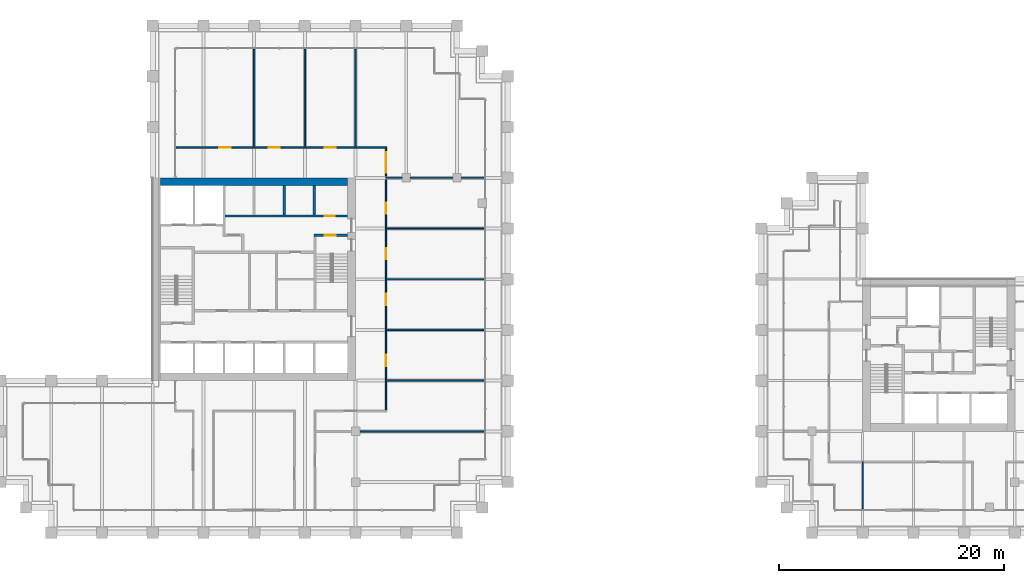
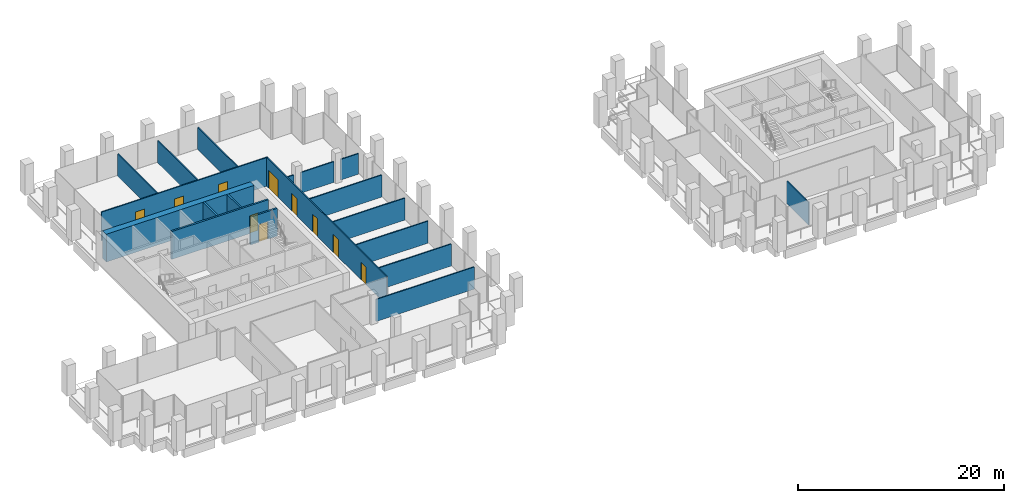
# One storey, part 42 of 46: 19 walls, 10 doors, 10 openings.
"""IFC4 building model written with IfcOpenShell, lengths in metres."""

from ifc_helpers import new_model, si_unit, direction, frame, frame_2d, origin, place, context, subcontext, project, spatial, rectangle, extrude, material, layer, layer_set, type_object, element, fill, save


model = new_model("IFC4")

# Units and contexts
model_context = context("Model", 3, precision=1e-05, world=origin(), true_north=direction((0.0, 1.0)))
body_context = subcontext(model_context, "Body", "Model", "MODEL_VIEW")
ifc_project = project(units=[si_unit("LENGTHUNIT", "METRE"), si_unit("AREAUNIT", "SQUARE_METRE"), si_unit("VOLUMEUNIT", "CUBIC_METRE"), si_unit("PLANEANGLEUNIT", "RADIAN"), si_unit("MASSUNIT", "GRAM", prefix="KILO")], contexts=[model_context])

# Site, building, storey
site_placement = place(None, origin())
site = spatial("IfcSite", under=ifc_project, at=site_placement, CompositionType="ELEMENT")
building_placement = place(site_placement, origin())
building = spatial("IfcBuilding", under=site, at=building_placement, Name="Altepetl Exchange Towers", CompositionType="ELEMENT")
storey_placement = place(building_placement, frame((0.0, 0.0, 135.199951171875)))
storey = spatial("IfcBuildingStorey", under=building, at=storey_placement, Name="L33", CompositionType="ELEMENT", Elevation=135.199951171875)

# Walls
ifc_material_1 = material(Name="Concrete C70/85", Category="concrete")
ifc_layer_1 = layer(ifc_material_1, 0.699951171875)
ifc_layer_set_1 = layer_set([ifc_layer_1], Name="Concrete C70/85")
wall_type_1 = type_object("IfcWallType", Name="Core wall 700 reinforced concrete", PredefinedType="SHEAR", material=ifc_layer_set_1)
wall_1_placement = place(storey_placement, frame((41.199951171875, 58.14990234375, 0.0)))
element("IfcWall", 1, at=wall_1_placement, inside=storey, type_object=wall_type_1, Name="wall:A:L33:K-coreN", PredefinedType="SHEAR", context=body_context, shape_type="SweptSolid", body=[
    extrude(rectangle(XDim=16.60009765625, YDim=0.699951171875, at=frame_2d((8.300048828125, 0.0))), origin(), (0.0, 0.0, 1.0), 3.300048828125),
])
ifc_material_2 = material(Name="Gypsum board on steel studs", Category="steel")
ifc_layer_2 = layer(ifc_material_2, 0.125)
ifc_layer_set_2 = layer_set([ifc_layer_2], Name="Gypsum board on steel studs")
wall_type_2 = type_object("IfcWallType", Name="Partition 125 gypsum board on steel studs", PredefinedType="PARTITIONING", material=ifc_layer_set_2)
wall_2_placement = place(storey_placement, frame((58.875, 36.0, 0.0)))
element("IfcWall", 2, at=wall_2_placement, inside=storey, type_object=wall_type_2, Name="wall:A:L33:P02", PredefinedType="PARTITIONING", context=body_context, shape_type="SweptSolid", body=[
    extrude(rectangle(XDim=11.02490234375, YDim=0.125, at=frame_2d((5.512451171875, 0.0))), origin(), (0.0, 0.0, 1.0), 2.6259765625),
])
for number, where, name in (
    (3, (61.199951171875, 40.5, 0.0), "wall:A:L33:P06"),
    (4, (61.199951171875, 45.0, 0.0), "wall:A:L33:P07"),
    (5, (61.199951171875, 49.5, 0.0), "wall:A:L33:P08"),
    (6, (61.199951171875, 54.0, 0.0), "wall:A:L33:P09"),
):
    element("IfcWall", number, at=place(storey_placement, frame(where)), inside=storey, type_object=wall_type_2, Name=name, PredefinedType="PARTITIONING", context=body_context, shape_type="SweptSolid", body=[
        extrude(rectangle(XDim=8.699951171875, YDim=0.125, at=frame_2d((4.35009765625, 0.0))), origin(), (0.0, 0.0, 1.0), 2.6259765625),
    ])
wall_3_placement = place(storey_placement, frame((61.199951171875, 58.5, 0.0)))
element("IfcWall", 7, at=wall_3_placement, inside=storey, type_object=wall_type_2, Name="wall:A:L33:P10", PredefinedType="PARTITIONING", context=body_context, shape_type="SweptSolid", body=[
    extrude(rectangle(XDim=1.425048828125, YDim=0.125, at=frame_2d((0.71240234375, 0.0))), origin(), (0.0, 0.0, 1.0), 2.45703125),
])
wall_4_placement = place(storey_placement, frame((63.375, 58.5, 0.0)))
element("IfcWall", 8, at=wall_4_placement, inside=storey, type_object=wall_type_2, Name="wall:A:L33:P11", PredefinedType="PARTITIONING", context=body_context, shape_type="SweptSolid", body=[
    extrude(rectangle(XDim=3.75, YDim=0.125, at=frame_2d((1.875, 0.0))), origin(), (0.0, 0.0, 1.0), 2.45703125),
])
wall_5_placement = place(storey_placement, frame((67.875, 58.5, 0.0)))
element("IfcWall", 9, at=wall_5_placement, inside=storey, type_object=wall_type_2, Name="wall:A:L33:P12", PredefinedType="PARTITIONING", context=body_context, shape_type="SweptSolid", body=[
    extrude(rectangle(XDim=2.02490234375, YDim=0.125, at=frame_2d((1.012451171875, 0.0))), origin(), (0.0, 0.0, 1.0), 2.45703125),
])

# Wall, openings, doors
wall_6_placement = place(storey_placement, frame((42.60009765625, 61.199951171875, 0.0)))
wall_6 = element("IfcWall", 10, at=wall_6_placement, inside=storey, type_object=wall_type_2, Name="wall:A:L33:P13", PredefinedType="PARTITIONING", context=body_context, shape_type="SweptSolid", body=[
    extrude(rectangle(XDim=18.662353515625, YDim=0.125, at=frame_2d((9.3310546875, 0.0))), origin(), (0.0, 0.0, 1.0), 3.400146484375),
])
opening_1_placement = place(wall_6_placement, frame((13.14990234375, 0.0, 0.0)))
opening_1 = element("IfcOpeningElement", 11, at=opening_1_placement, cuts=wall_6, Name="Opening L33.A10", PredefinedType="OPENING", context=body_context, shape_type="SweptSolid", body=[
    extrude(rectangle(XDim=1.0, YDim=2.10009765625, at=frame_2d((0.5, 1.050048828125))), frame((0.0, 0.072509765625, 0.0), z_axis=(0.0, -1.0, 0.0), x_axis=(1.0, 0.0, 0.0)), (0.0, 0.0, 1.0), 0.14501953125),
])
opening_2_placement = place(wall_6_placement, frame((8.195068359375, 0.0, 0.0)))
opening_2 = element("IfcOpeningElement", 12, at=opening_2_placement, cuts=wall_6, Name="Opening L33.A11", PredefinedType="OPENING", context=body_context, shape_type="SweptSolid", body=[
    extrude(rectangle(XDim=1.0, YDim=2.10009765625, at=frame_2d((0.5, 1.050048828125))), frame((0.0, 0.072509765625, 0.0), z_axis=(0.0, -1.0, 0.0), x_axis=(1.0, 0.0, 0.0)), (0.0, 0.0, 1.0), 0.14501953125),
])
opening_3_placement = place(wall_6_placement, frame((3.824951171875, 0.0, 0.0)))
opening_3 = element("IfcOpeningElement", 13, at=opening_3_placement, cuts=wall_6, Name="Opening L33.A12", PredefinedType="OPENING", context=body_context, shape_type="SweptSolid", body=[
    extrude(rectangle(XDim=1.0, YDim=2.10009765625, at=frame_2d((0.5, 1.050048828125))), frame((0.0, 0.072509765625, 0.0), z_axis=(0.0, -1.0, 0.0), x_axis=(1.0, 0.0, 0.0)), (0.0, 0.0, 1.0), 0.14501953125),
])
ifc_material_3 = material(Name="Steel and timber fire door", Category="steel")
door_type_1 = type_object("IfcDoorType", Name="Fire door 1000 x 2100 single leaf", OperationType="SINGLE_SWING_LEFT", PredefinedType="DOOR", material=ifc_material_3)
door_1_placement = place(opening_1_placement, origin())
door_1 = element("IfcDoor", 14, at=door_1_placement, inside=storey, type_object=door_type_1, Name="door:A:L33:10", OperationType="SINGLE_SWING_LEFT", OverallHeight=2.10009765625, OverallWidth=1.0, PredefinedType="DOOR", context=body_context, shape_type="SweptSolid", body=[
    extrude(rectangle(XDim=1.0, YDim=2.10009765625, at=frame_2d((0.5, 1.050048828125))), frame((0.0, 0.02490234375, 0.0), z_axis=(0.0, -1.0, 0.0), x_axis=(1.0, 0.0, 0.0)), (0.0, 0.0, 1.0), 0.050048828125),
])
fill(opening_1, door_1)
door_2_placement = place(opening_2_placement, origin())
door_2 = element("IfcDoor", 15, at=door_2_placement, inside=storey, type_object=door_type_1, Name="door:A:L33:11", OperationType="SINGLE_SWING_RIGHT", OverallHeight=2.10009765625, OverallWidth=1.0, PredefinedType="DOOR", context=body_context, shape_type="SweptSolid", body=[
    extrude(rectangle(XDim=1.0, YDim=2.10009765625, at=frame_2d((0.5, 1.050048828125))), frame((0.0, 0.02490234375, 0.0), z_axis=(0.0, -1.0, 0.0), x_axis=(1.0, 0.0, 0.0)), (0.0, 0.0, 1.0), 0.050048828125),
])
fill(opening_2, door_2)
door_3_placement = place(opening_3_placement, origin())
door_3 = element("IfcDoor", 16, at=door_3_placement, inside=storey, type_object=door_type_1, Name="door:A:L33:12", OperationType="SINGLE_SWING_LEFT", OverallHeight=2.10009765625, OverallWidth=1.0, PredefinedType="DOOR", context=body_context, shape_type="SweptSolid", body=[
    extrude(rectangle(XDim=1.0, YDim=2.10009765625, at=frame_2d((0.5, 1.050048828125))), frame((0.0, 0.02490234375, 0.0), z_axis=(0.0, -1.0, 0.0), x_axis=(1.0, 0.0, 0.0)), (0.0, 0.0, 1.0), 0.050048828125),
])
fill(opening_3, door_3)

# Walls
for number, where, z_axis, x_axis, name in (
    (17, (49.5, 61.199951171875, 0.0), (0.0, 0.0, 1.0), (0.0, 1.0, 0.0), "wall:A:L33:P17"),
    (18, (54.0, 61.199951171875, 0.0), (0.0, 0.0, 1.0), (0.0, 1.0, 0.0), "wall:A:L33:P19"),
    (19, (58.5, 61.199951171875, 0.0), (0.0, 0.0, 1.0), (0.0, 1.0, 0.0), "wall:A:L33:P21"),
):
    element("IfcWall", number, at=place(storey_placement, frame(where, z_axis=z_axis, x_axis=x_axis)), inside=storey, type_object=wall_type_2, Name=name, PredefinedType="PARTITIONING", context=body_context, shape_type="SweptSolid", body=[
        extrude(rectangle(XDim=8.699951171875, YDim=0.125, at=frame_2d((4.35009765625, 0.0))), origin(), (0.0, 0.0, 1.0), 2.6259765625),
    ])

# Wall, openings, doors
wall_7_placement = place(storey_placement, frame((61.199951171875, 37.862548828125, 0.0), z_axis=(0.0, 0.0, 1.0), x_axis=(0.0, 1.0, 0.0)))
wall_7 = element("IfcWall", 20, at=wall_7_placement, inside=storey, type_object=wall_type_2, Name="wall:A:L33:P22", PredefinedType="PARTITIONING", context=body_context, shape_type="SweptSolid", body=[
    extrude(rectangle(XDim=23.27490234375, YDim=0.125, at=frame_2d((11.637451171875, 0.0))), origin(), (0.0, 0.0, 1.0), 3.400146484375),
])
opening_4_placement = place(wall_7_placement, frame((3.9326171875, 0.0, 0.0)))
opening_4 = element("IfcOpeningElement", 21, at=opening_4_placement, cuts=wall_7, Name="Opening L33.A05", PredefinedType="OPENING", context=body_context, shape_type="SweptSolid", body=[
    extrude(rectangle(XDim=1.0, YDim=2.10009765625, at=frame_2d((0.5, 1.050048828125))), frame((0.0, 0.072509765625, 0.0), z_axis=(0.0, -1.0, 0.0), x_axis=(1.0, 0.0, 0.0)), (0.0, 0.0, 1.0), 0.14501953125),
])
opening_5_placement = place(wall_7_placement, frame((9.342529296875, 0.0, 0.0)))
opening_5 = element("IfcOpeningElement", 22, at=opening_5_placement, cuts=wall_7, Name="Opening L33.A06", PredefinedType="OPENING", context=body_context, shape_type="SweptSolid", body=[
    extrude(rectangle(XDim=1.0, YDim=2.10009765625, at=frame_2d((0.5, 1.050048828125))), frame((0.0, 0.072509765625, 0.0), z_axis=(0.0, -1.0, 0.0), x_axis=(1.0, 0.0, 0.0)), (0.0, 0.0, 1.0), 0.14501953125),
])
opening_6_placement = place(wall_7_placement, frame((13.387451171875, 0.0, 0.0)))
opening_6 = element("IfcOpeningElement", 23, at=opening_6_placement, cuts=wall_7, Name="Opening L33.A07", PredefinedType="OPENING", context=body_context, shape_type="SweptSolid", body=[
    extrude(rectangle(XDim=1.0, YDim=2.10009765625, at=frame_2d((0.5, 1.050048828125))), frame((0.0, 0.072509765625, 0.0), z_axis=(0.0, -1.0, 0.0), x_axis=(1.0, 0.0, 0.0)), (0.0, 0.0, 1.0), 0.14501953125),
])
opening_7_placement = place(wall_7_placement, frame((17.4326171875, 0.0, 0.0)))
opening_7 = element("IfcOpeningElement", 24, at=opening_7_placement, cuts=wall_7, Name="Opening L33.A08", PredefinedType="OPENING", context=body_context, shape_type="SweptSolid", body=[
    extrude(rectangle(XDim=1.0, YDim=2.10009765625, at=frame_2d((0.5, 1.050048828125))), frame((0.0, 0.072509765625, 0.0), z_axis=(0.0, -1.0, 0.0), x_axis=(1.0, 0.0, 0.0)), (0.0, 0.0, 1.0), 0.14501953125),
])
opening_8_placement = place(wall_7_placement, frame((21.08740234375, 0.0, 0.0)))
opening_8 = element("IfcOpeningElement", 25, at=opening_8_placement, cuts=wall_7, Name="Opening L33.A09", PredefinedType="OPENING", context=body_context, shape_type="SweptSolid", body=[
    extrude(rectangle(XDim=1.800048828125, YDim=2.10009765625, at=frame_2d((0.89990234375, 1.050048828125))), frame((0.0, 0.072509765625, 0.0), z_axis=(0.0, -1.0, 0.0), x_axis=(1.0, 0.0, 0.0)), (0.0, 0.0, 1.0), 0.14501953125),
])
door_4_placement = place(opening_4_placement, frame((1.0, 0.0, 0.0), x_axis=(-1.0, 0.0, 0.0)))
door_4 = element("IfcDoor", 26, at=door_4_placement, inside=storey, type_object=door_type_1, Name="door:A:L33:05", OperationType="SINGLE_SWING_LEFT", OverallHeight=2.10009765625, OverallWidth=1.0, PredefinedType="DOOR", context=body_context, shape_type="SweptSolid", body=[
    extrude(rectangle(XDim=1.0, YDim=2.10009765625, at=frame_2d((0.5, 1.050048828125))), frame((0.0, 0.02490234375, 0.0), z_axis=(0.0, -1.0, 0.0), x_axis=(1.0, 0.0, 0.0)), (0.0, 0.0, 1.0), 0.050048828125),
])
fill(opening_4, door_4)
door_5_placement = place(opening_5_placement, frame((1.0, 0.0, 0.0), x_axis=(-1.0, 0.0, 0.0)))
door_5 = element("IfcDoor", 27, at=door_5_placement, inside=storey, type_object=door_type_1, Name="door:A:L33:06", OperationType="SINGLE_SWING_RIGHT", OverallHeight=2.10009765625, OverallWidth=1.0, PredefinedType="DOOR", context=body_context, shape_type="SweptSolid", body=[
    extrude(rectangle(XDim=1.0, YDim=2.10009765625, at=frame_2d((0.5, 1.050048828125))), frame((0.0, 0.02490234375, 0.0), z_axis=(0.0, -1.0, 0.0), x_axis=(1.0, 0.0, 0.0)), (0.0, 0.0, 1.0), 0.050048828125),
])
fill(opening_5, door_5)
door_6_placement = place(opening_6_placement, frame((1.0, 0.0, 0.0), x_axis=(-1.0, 0.0, 0.0)))
door_6 = element("IfcDoor", 28, at=door_6_placement, inside=storey, type_object=door_type_1, Name="door:A:L33:07", OperationType="SINGLE_SWING_LEFT", OverallHeight=2.10009765625, OverallWidth=1.0, PredefinedType="DOOR", context=body_context, shape_type="SweptSolid", body=[
    extrude(rectangle(XDim=1.0, YDim=2.10009765625, at=frame_2d((0.5, 1.050048828125))), frame((0.0, 0.02490234375, 0.0), z_axis=(0.0, -1.0, 0.0), x_axis=(1.0, 0.0, 0.0)), (0.0, 0.0, 1.0), 0.050048828125),
])
fill(opening_6, door_6)
door_7_placement = place(opening_7_placement, frame((1.0, 0.0, 0.0), x_axis=(-1.0, 0.0, 0.0)))
door_7 = element("IfcDoor", 29, at=door_7_placement, inside=storey, type_object=door_type_1, Name="door:A:L33:08", OperationType="SINGLE_SWING_RIGHT", OverallHeight=2.10009765625, OverallWidth=1.0, PredefinedType="DOOR", context=body_context, shape_type="SweptSolid", body=[
    extrude(rectangle(XDim=1.0, YDim=2.10009765625, at=frame_2d((0.5, 1.050048828125))), frame((0.0, 0.02490234375, 0.0), z_axis=(0.0, -1.0, 0.0), x_axis=(1.0, 0.0, 0.0)), (0.0, 0.0, 1.0), 0.050048828125),
])
fill(opening_7, door_7)
door_type_2 = type_object("IfcDoorType", Name="Fire door 1800 x 2100 double leaf", OperationType="DOUBLE_DOOR_SINGLE_SWING", PredefinedType="DOOR", material=ifc_material_3)
door_8_placement = place(opening_8_placement, frame((1.800048828125, 0.0, 0.0), x_axis=(-1.0, 0.0, 0.0)))
door_8 = element("IfcDoor", 30, at=door_8_placement, inside=storey, type_object=door_type_2, Name="door:A:L33:09", OperationType="DOUBLE_DOOR_SINGLE_SWING", OverallHeight=2.10009765625, OverallWidth=1.800048828125, PredefinedType="DOOR", context=body_context, shape_type="SweptSolid", body=[
    extrude(rectangle(XDim=1.800048828125, YDim=2.10009765625, at=frame_2d((0.89990234375, 1.050048828125))), frame((0.0, 0.02490234375, 0.0), z_axis=(0.0, -1.0, 0.0), x_axis=(1.0, 0.0, 0.0)), (0.0, 0.0, 1.0), 0.050048828125),
])
fill(opening_8, door_8)

# Walls
wall_8_placement = place(storey_placement, frame((103.5, 29.10009765625, 0.0), z_axis=(0.0, 0.0, 1.0), x_axis=(0.0, 1.0, 0.0)))
element("IfcWall", 31, at=wall_8_placement, inside=storey, type_object=wall_type_2, Name="wall:B:L33:P09", PredefinedType="PARTITIONING", context=body_context, shape_type="SweptSolid", body=[
    extrude(rectangle(XDim=4.199951171875, YDim=0.125, at=frame_2d((2.10009765625, 0.0))), origin(), (0.0, 0.0, 1.0), 2.712158203125),
])
ifc_material_4 = material(Name="Concrete C40/50", Category="concrete")
ifc_layer_3 = layer(ifc_material_4, 0.199951171875)
ifc_layer_set_3 = layer_set([ifc_layer_3], Name="Concrete C40/50")
wall_type_3 = type_object("IfcWallType", Name="Shaft wall 200 reinforced concrete", PredefinedType="SHEAR", material=ifc_layer_set_3)
for number, where, z_axis, x_axis, name in (
    (32, (52.166748046875, 57.800048828125, 0.0), (0.0, 0.0, 1.0), (0.0, -1.0, 0.0), "wall:A:L33:K-divN4"),
    (33, (54.833251953125, 57.800048828125, 0.0), (0.0, 0.0, 1.0), (0.0, -1.0, 0.0), "wall:A:L33:K-divN5"),
):
    element("IfcWall", number, at=place(storey_placement, frame(where, z_axis=z_axis, x_axis=x_axis)), inside=storey, type_object=wall_type_3, Name=name, PredefinedType="SHEAR", context=body_context, shape_type="SweptSolid", body=[
        extrude(rectangle(XDim=2.60009765625, YDim=0.199951171875, at=frame_2d((1.300048828125, 0.0))), origin(), (0.0, 0.0, 1.0), 3.300048828125),
    ])

# Wall, opening, door
wall_9_placement = place(storey_placement, frame((46.933349609375, 55.10009765625, 0.0)))
wall_9 = element("IfcWall", 34, at=wall_9_placement, inside=storey, type_object=wall_type_3, Name="wall:A:L33:K-frontNb", PredefinedType="SHEAR", context=body_context, shape_type="SweptSolid", body=[
    extrude(rectangle(XDim=10.86669921875, YDim=0.199951171875, at=frame_2d((5.433349609375, 0.0))), origin(), (0.0, 0.0, 1.0), 3.300048828125),
])
opening_9_placement = place(wall_9_placement, frame((8.83349609375, 0.0, 0.0)))
opening_9 = element("IfcOpeningElement", 35, at=opening_9_placement, cuts=wall_9, Name="Opening L33.A66", PredefinedType="OPENING", context=body_context, shape_type="SweptSolid", body=[
    extrude(rectangle(XDim=0.89990234375, YDim=2.10009765625, at=frame_2d((0.449951171875, 1.050048828125))), frame((0.0, 0.10986328125, 0.0), z_axis=(0.0, -1.0, 0.0), x_axis=(1.0, 0.0, 0.0)), (0.0, 0.0, 1.0), 0.219970703125),
])
door_type_3 = type_object("IfcDoorType", Name="Fire door 900 x 2100 service room", OperationType="SINGLE_SWING_LEFT", PredefinedType="DOOR", material=ifc_material_3)
door_9_placement = place(opening_9_placement, origin())
door_9 = element("IfcDoor", 36, at=door_9_placement, inside=storey, type_object=door_type_3, Name="door:A:L33:K-driser", OperationType="SINGLE_SWING_RIGHT", OverallHeight=2.10009765625, OverallWidth=0.89990234375, PredefinedType="DOOR", context=body_context, shape_type="SweptSolid", body=[
    extrude(rectangle(XDim=0.89990234375, YDim=2.10009765625, at=frame_2d((0.449951171875, 1.050048828125))), frame((0.0, 0.02490234375, 0.0), z_axis=(0.0, -1.0, 0.0), x_axis=(1.0, 0.0, 0.0)), (0.0, 0.0, 1.0), 0.050048828125),
])
fill(opening_9, door_9)

ifc_layer_4 = layer(ifc_material_4, 0.199951171875)
ifc_layer_set_4 = layer_set([ifc_layer_4], Name="Concrete C40/50")
wall_type_4 = type_object("IfcWallType", Name="Stair wall 200 reinforced concrete", PredefinedType="SHEAR", material=ifc_layer_set_4)
wall_10_placement = place(storey_placement, frame((54.800048828125, 53.39990234375, 0.0)))
wall_10 = element("IfcWall", 37, at=wall_10_placement, inside=storey, type_object=wall_type_4, Name="wall:A:L33:K-stS2N", PredefinedType="SHEAR", context=body_context, shape_type="SweptSolid", body=[
    extrude(rectangle(XDim=3.0, YDim=0.199951171875, at=frame_2d((1.5, 0.0))), origin(), (0.0, 0.0, 1.0), 3.300048828125),
])
opening_10_placement = place(wall_10_placement, frame((0.949951171875, 0.0, 0.0)))
opening_10 = element("IfcOpeningElement", 38, at=opening_10_placement, cuts=wall_10, Name="Opening L33.A63", PredefinedType="OPENING", context=body_context, shape_type="SweptSolid", body=[
    extrude(rectangle(XDim=1.0, YDim=2.10009765625, at=frame_2d((0.5, 1.050048828125))), frame((0.0, 0.10986328125, 0.0), z_axis=(0.0, -1.0, 0.0), x_axis=(1.0, 0.0, 0.0)), (0.0, 0.0, 1.0), 0.219970703125),
])
door_type_4 = type_object("IfcDoorType", Name="Fire door 1000 x 2100 stair and lobby", OperationType="SINGLE_SWING_LEFT", PredefinedType="DOOR", material=ifc_material_3)
door_10_placement = place(opening_10_placement, frame((1.0, 0.0, 0.0), x_axis=(-1.0, 0.0, 0.0)))
door_10 = element("IfcDoor", 39, at=door_10_placement, inside=storey, type_object=door_type_4, Name="door:A:L33:K-dS2in", OperationType="SINGLE_SWING_LEFT", OverallHeight=2.10009765625, OverallWidth=1.0, PredefinedType="DOOR", context=body_context, shape_type="SweptSolid", body=[
    extrude(rectangle(XDim=1.0, YDim=2.10009765625, at=frame_2d((0.5, 1.050048828125))), frame((0.0, 0.02490234375, 0.0), z_axis=(0.0, -1.0, 0.0), x_axis=(1.0, 0.0, 0.0)), (0.0, 0.0, 1.0), 0.050048828125),
])
fill(opening_10, door_10)

save(model, "model.ifc")
